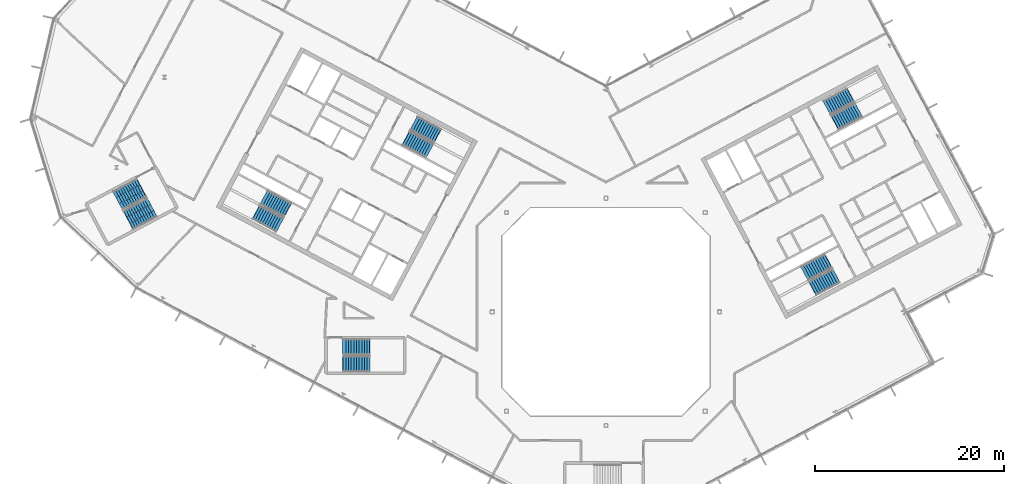
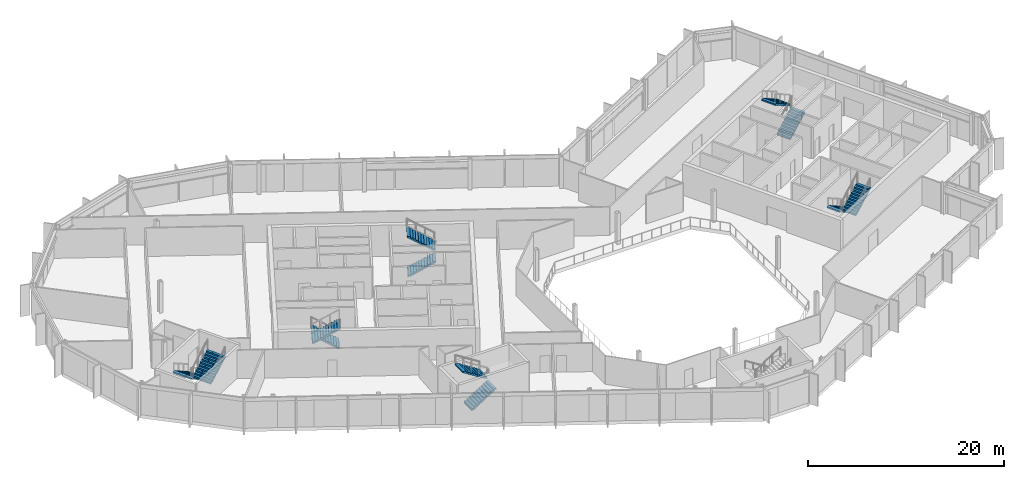
# One storey, part 18 of 26: 12 stair flights, 6 elements without a shape of their own.
"""IFC4 building model written with IfcOpenShell, lengths in metres."""

from ifc_helpers import new_model, si_unit, direction, frame, origin, place, context, subcontext, project, spatial, polyline, outline, extrude, material, type_object, element, aggregate, save


model = new_model("IFC4")

# Units and contexts
model_context = context("Model", 3, precision=1e-05, world=origin(), true_north=direction((0.0, 1.0)))
body_context = subcontext(model_context, "Body", "Model", "MODEL_VIEW")
ifc_project = project(units=[si_unit("LENGTHUNIT", "METRE"), si_unit("AREAUNIT", "SQUARE_METRE"), si_unit("VOLUMEUNIT", "CUBIC_METRE"), si_unit("PLANEANGLEUNIT", "RADIAN"), si_unit("MASSUNIT", "GRAM", prefix="KILO")], contexts=[model_context])

# Site, building, storey
site_placement = place(None, origin())
site = spatial("IfcSite", under=ifc_project, at=site_placement, CompositionType="ELEMENT")
building_placement = place(site_placement, origin())
building = spatial("IfcBuilding", under=site, at=building_placement, Name="Cormorant Relay Tower", CompositionType="ELEMENT")
storey_placement = place(building_placement, frame((0.0, 0.0, 320.39990234375)))
storey = spatial("IfcBuildingStorey", under=building, at=storey_placement, Name="L73", CompositionType="ELEMENT", Elevation=320.39990234375)

# Stair, stair flights
ifc_material_1 = material(Name="Concrete 40 MPa", Category="concrete")
stair_type_1 = type_object("IfcStairType", Name="Exit stair 1500", PredefinedType="HALF_TURN_STAIR", material=ifc_material_1)
stair_1_placement = place(storey_placement, origin())
stair_1 = element("IfcStair", 1, at=stair_1_placement, inside=storey, type_object=stair_type_1, Name="L73 Stair", PredefinedType="HALF_TURN_STAIR")
ifc_material_2 = material(Name="Concrete 40 MPa", Category="concrete")
stair_flight_type_1 = type_object("IfcStairFlightType", Name="Exit stair flight 1650", PredefinedType="STRAIGHT", material=ifc_material_2)
stair_flight_1_placement = place(storey_placement, frame((-21.114501953125, 18.33349609375, 0.0), z_axis=(0.0, 0.0, 1.0), x_axis=(0.882947592859, -0.469471562786, 0.0)))
stair_flight_1 = element("IfcStairFlight", 2, at=stair_flight_1_placement, type_object=stair_flight_type_1, Name="A1 flight 1", NumberOfRisers=11, NumberOfTreads=10, PredefinedType="STRAIGHT", RiserHeight=0.177272727, TreadLength=0.28, context=body_context, shape_type="SweptSolid", body=[
    extrude(outline(polyline([(-0.050048828125, -0.080078125), (-0.050048828125, 0.0), (0.0, 0.0), (0.0, 0.17724609375), (0.280029296875, 0.17724609375), (0.280029296875, 0.3544921875), (0.56005859375, 0.3544921875), (0.56005859375, 0.53173828125), (0.840087890625, 0.53173828125), (0.840087890625, 0.708984375), (1.1201171875, 0.708984375), (1.1201171875, 0.886474609375), (1.39990234375, 0.886474609375), (1.39990234375, 1.063720703125), (1.679931640625, 1.063720703125), (1.679931640625, 1.240966796875), (1.9599609375, 1.240966796875), (1.9599609375, 1.418212890625), (2.239990234375, 1.418212890625), (2.239990234375, 1.595458984375), (2.52001953125, 1.595458984375), (2.52001953125, 1.772705078125), (2.800048828125, 1.772705078125), (2.85009765625, 1.772705078125), (2.85009765625, 1.59521484375), (2.800048828125, 1.59521484375), (0.2802734375, 0.0), (-0.050048828125, -0.080078125)])), frame((0.0, 0.824951171875, 0.0), z_axis=(0.0, -1.0, 0.0), x_axis=(1.0, 0.0, 0.0)), (0.0, 0.0, 1.0), 1.64990234375),
])
stair_flight_2_placement = place(storey_placement, frame((-17.797119140625, 18.6083984375, 1.9501953125), z_axis=(0.0, 0.0, 1.0), x_axis=(-0.882947592859, 0.469471562786, 0.0)))
stair_flight_2 = element("IfcStairFlight", 3, at=stair_flight_2_placement, type_object=stair_flight_type_1, Name="A1 flight 2", NumberOfRisers=11, NumberOfTreads=10, PredefinedType="STRAIGHT", RiserHeight=0.177272727, TreadLength=0.28, context=body_context, shape_type="SweptSolid", body=[
    extrude(outline(polyline([(-0.050048828125, -0.080078125), (-0.050048828125, 0.0), (0.0, 0.0), (0.0, 0.17724609375), (0.280029296875, 0.17724609375), (0.280029296875, 0.3544921875), (0.56005859375, 0.3544921875), (0.56005859375, 0.53173828125), (0.840087890625, 0.53173828125), (0.840087890625, 0.708984375), (1.1201171875, 0.708984375), (1.1201171875, 0.886474609375), (1.39990234375, 0.886474609375), (1.39990234375, 1.063720703125), (1.679931640625, 1.063720703125), (1.679931640625, 1.240966796875), (1.9599609375, 1.240966796875), (1.9599609375, 1.418212890625), (2.239990234375, 1.418212890625), (2.239990234375, 1.595458984375), (2.52001953125, 1.595458984375), (2.52001953125, 1.772705078125), (2.800048828125, 1.772705078125), (2.85009765625, 1.772705078125), (2.85009765625, 1.59521484375), (2.800048828125, 1.59521484375), (0.2802734375, 0.0), (-0.050048828125, -0.080078125)])), frame((0.0, 0.824951171875, 0.0), z_axis=(0.0, -1.0, 0.0), x_axis=(1.0, 0.0, 0.0)), (0.0, 0.0, 1.0), 1.64990234375),
])
aggregate(stair_1, [stair_flight_1, stair_flight_2])

stair_2_placement = place(storey_placement, origin())
stair_2 = element("IfcStair", 4, at=stair_2_placement, inside=storey, type_object=stair_type_1, Name="L73 Stair", PredefinedType="HALF_TURN_STAIR")
stair_flight_3_placement = place(storey_placement, frame((-33.62841796875, 10.773681640625, 0.0), z_axis=(0.0, 0.0, 1.0), x_axis=(-0.882947592859, 0.469471562786, 0.0)))
stair_flight_3 = element("IfcStairFlight", 5, at=stair_flight_3_placement, type_object=stair_flight_type_1, Name="A2 flight 1", NumberOfRisers=11, NumberOfTreads=10, PredefinedType="STRAIGHT", RiserHeight=0.177272727, TreadLength=0.28, context=body_context, shape_type="SweptSolid", body=[
    extrude(outline(polyline([(-0.050048828125, -0.080078125), (-0.050048828125, 0.0), (0.0, 0.0), (0.0, 0.17724609375), (0.280029296875, 0.17724609375), (0.280029296875, 0.3544921875), (0.56005859375, 0.3544921875), (0.56005859375, 0.53173828125), (0.840087890625, 0.53173828125), (0.840087890625, 0.708984375), (1.1201171875, 0.708984375), (1.1201171875, 0.886474609375), (1.39990234375, 0.886474609375), (1.39990234375, 1.063720703125), (1.679931640625, 1.063720703125), (1.679931640625, 1.240966796875), (1.9599609375, 1.240966796875), (1.9599609375, 1.418212890625), (2.239990234375, 1.418212890625), (2.239990234375, 1.595458984375), (2.52001953125, 1.595458984375), (2.52001953125, 1.772705078125), (2.800048828125, 1.772705078125), (2.85009765625, 1.772705078125), (2.85009765625, 1.59521484375), (2.800048828125, 1.59521484375), (0.2802734375, 0.0), (-0.050048828125, -0.080078125)])), frame((0.0, 0.824951171875, 0.0), z_axis=(0.0, -1.0, 0.0), x_axis=(1.0, 0.0, 0.0)), (0.0, 0.0, 1.0), 1.64990234375),
])
stair_flight_4_placement = place(storey_placement, frame((-36.945556640625, 10.498779296875, 1.9501953125), z_axis=(0.0, 0.0, 1.0), x_axis=(0.882947592859, -0.469471562786, 0.0)))
stair_flight_4 = element("IfcStairFlight", 6, at=stair_flight_4_placement, type_object=stair_flight_type_1, Name="A2 flight 2", NumberOfRisers=11, NumberOfTreads=10, PredefinedType="STRAIGHT", RiserHeight=0.177272727, TreadLength=0.28, context=body_context, shape_type="SweptSolid", body=[
    extrude(outline(polyline([(-0.050048828125, -0.080078125), (-0.050048828125, 0.0), (0.0, 0.0), (0.0, 0.17724609375), (0.280029296875, 0.17724609375), (0.280029296875, 0.3544921875), (0.56005859375, 0.3544921875), (0.56005859375, 0.53173828125), (0.840087890625, 0.53173828125), (0.840087890625, 0.708984375), (1.1201171875, 0.708984375), (1.1201171875, 0.886474609375), (1.39990234375, 0.886474609375), (1.39990234375, 1.063720703125), (1.679931640625, 1.063720703125), (1.679931640625, 1.240966796875), (1.9599609375, 1.240966796875), (1.9599609375, 1.418212890625), (2.239990234375, 1.418212890625), (2.239990234375, 1.595458984375), (2.52001953125, 1.595458984375), (2.52001953125, 1.772705078125), (2.800048828125, 1.772705078125), (2.85009765625, 1.772705078125), (2.85009765625, 1.59521484375), (2.800048828125, 1.59521484375), (0.2802734375, 0.0), (-0.050048828125, -0.080078125)])), frame((0.0, 0.824951171875, 0.0), z_axis=(0.0, -1.0, 0.0), x_axis=(1.0, 0.0, 0.0)), (0.0, 0.0, 1.0), 1.64990234375),
])
aggregate(stair_2, [stair_flight_3, stair_flight_4])

stair_3_placement = place(storey_placement, origin())
stair_3 = element("IfcStair", 7, at=stair_3_placement, inside=storey, type_object=stair_type_1, Name="L73 Stair", PredefinedType="HALF_TURN_STAIR")
stair_flight_5_placement = place(storey_placement, frame((23.474365234375, 5.374755859375, 0.0), z_axis=(0.0, 0.0, 1.0), x_axis=(-0.882947592859, -0.469471562786, 0.0)))
stair_flight_5 = element("IfcStairFlight", 8, at=stair_flight_5_placement, type_object=stair_flight_type_1, Name="B1 flight 1", NumberOfRisers=11, NumberOfTreads=10, PredefinedType="STRAIGHT", RiserHeight=0.177272727, TreadLength=0.28, context=body_context, shape_type="SweptSolid", body=[
    extrude(outline(polyline([(-0.050048828125, -0.080078125), (-0.050048828125, 0.0), (0.0, 0.0), (0.0, 0.17724609375), (0.280029296875, 0.17724609375), (0.280029296875, 0.3544921875), (0.56005859375, 0.3544921875), (0.56005859375, 0.53173828125), (0.840087890625, 0.53173828125), (0.840087890625, 0.708984375), (1.1201171875, 0.708984375), (1.1201171875, 0.886474609375), (1.39990234375, 0.886474609375), (1.39990234375, 1.063720703125), (1.679931640625, 1.063720703125), (1.679931640625, 1.240966796875), (1.9599609375, 1.240966796875), (1.9599609375, 1.418212890625), (2.239990234375, 1.418212890625), (2.239990234375, 1.595458984375), (2.52001953125, 1.595458984375), (2.52001953125, 1.772705078125), (2.800048828125, 1.772705078125), (2.85009765625, 1.772705078125), (2.85009765625, 1.59521484375), (2.800048828125, 1.59521484375), (0.2802734375, 0.0), (-0.050048828125, -0.080078125)])), frame((0.0, 0.824951171875, 0.0), z_axis=(0.0, -1.0, 0.0), x_axis=(1.0, 0.0, 0.0)), (0.0, 0.0, 1.0), 1.64990234375),
])
stair_flight_6_placement = place(storey_placement, frame((21.84716796875, 2.470947265625, 1.9501953125), z_axis=(0.0, 0.0, 1.0), x_axis=(0.882947592859, 0.469471562786, 0.0)))
stair_flight_6 = element("IfcStairFlight", 9, at=stair_flight_6_placement, type_object=stair_flight_type_1, Name="B1 flight 2", NumberOfRisers=11, NumberOfTreads=10, PredefinedType="STRAIGHT", RiserHeight=0.177272727, TreadLength=0.28, context=body_context, shape_type="SweptSolid", body=[
    extrude(outline(polyline([(-0.050048828125, -0.080078125), (-0.050048828125, 0.0), (0.0, 0.0), (0.0, 0.17724609375), (0.280029296875, 0.17724609375), (0.280029296875, 0.3544921875), (0.56005859375, 0.3544921875), (0.56005859375, 0.53173828125), (0.840087890625, 0.53173828125), (0.840087890625, 0.708984375), (1.1201171875, 0.708984375), (1.1201171875, 0.886474609375), (1.39990234375, 0.886474609375), (1.39990234375, 1.063720703125), (1.679931640625, 1.063720703125), (1.679931640625, 1.240966796875), (1.9599609375, 1.240966796875), (1.9599609375, 1.418212890625), (2.239990234375, 1.418212890625), (2.239990234375, 1.595458984375), (2.52001953125, 1.595458984375), (2.52001953125, 1.772705078125), (2.800048828125, 1.772705078125), (2.85009765625, 1.772705078125), (2.85009765625, 1.59521484375), (2.800048828125, 1.59521484375), (0.2802734375, 0.0), (-0.050048828125, -0.080078125)])), frame((0.0, 0.824951171875, 0.0), z_axis=(0.0, -1.0, 0.0), x_axis=(1.0, 0.0, 0.0)), (0.0, 0.0, 1.0), 1.64990234375),
])
aggregate(stair_3, [stair_flight_5, stair_flight_6])

stair_4_placement = place(storey_placement, origin())
stair_4 = element("IfcStair", 10, at=stair_4_placement, inside=storey, type_object=stair_type_1, Name="L73 Stair", PredefinedType="HALF_TURN_STAIR")
stair_flight_7_placement = place(storey_placement, frame((24.20458984375, 19.976806640625, 0.0), z_axis=(0.0, 0.0, 1.0), x_axis=(0.882947592859, 0.469471562786, 0.0)))
stair_flight_7 = element("IfcStairFlight", 11, at=stair_flight_7_placement, type_object=stair_flight_type_1, Name="B2 flight 1", NumberOfRisers=11, NumberOfTreads=10, PredefinedType="STRAIGHT", RiserHeight=0.177272727, TreadLength=0.28, context=body_context, shape_type="SweptSolid", body=[
    extrude(outline(polyline([(-0.050048828125, -0.080078125), (-0.050048828125, 0.0), (0.0, 0.0), (0.0, 0.17724609375), (0.280029296875, 0.17724609375), (0.280029296875, 0.3544921875), (0.56005859375, 0.3544921875), (0.56005859375, 0.53173828125), (0.840087890625, 0.53173828125), (0.840087890625, 0.708984375), (1.1201171875, 0.708984375), (1.1201171875, 0.886474609375), (1.39990234375, 0.886474609375), (1.39990234375, 1.063720703125), (1.679931640625, 1.063720703125), (1.679931640625, 1.240966796875), (1.9599609375, 1.240966796875), (1.9599609375, 1.418212890625), (2.239990234375, 1.418212890625), (2.239990234375, 1.595458984375), (2.52001953125, 1.595458984375), (2.52001953125, 1.772705078125), (2.800048828125, 1.772705078125), (2.85009765625, 1.772705078125), (2.85009765625, 1.59521484375), (2.800048828125, 1.59521484375), (0.2802734375, 0.0), (-0.050048828125, -0.080078125)])), frame((0.0, 0.824951171875, 0.0), z_axis=(0.0, -1.0, 0.0), x_axis=(1.0, 0.0, 0.0)), (0.0, 0.0, 1.0), 1.64990234375),
])
stair_flight_8_placement = place(storey_placement, frame((25.831787109375, 22.880615234375, 1.9501953125), z_axis=(0.0, 0.0, 1.0), x_axis=(-0.882947592859, -0.469471562786, 0.0)))
stair_flight_8 = element("IfcStairFlight", 12, at=stair_flight_8_placement, type_object=stair_flight_type_1, Name="B2 flight 2", NumberOfRisers=11, NumberOfTreads=10, PredefinedType="STRAIGHT", RiserHeight=0.177272727, TreadLength=0.28, context=body_context, shape_type="SweptSolid", body=[
    extrude(outline(polyline([(-0.050048828125, -0.080078125), (-0.050048828125, 0.0), (0.0, 0.0), (0.0, 0.17724609375), (0.280029296875, 0.17724609375), (0.280029296875, 0.3544921875), (0.56005859375, 0.3544921875), (0.56005859375, 0.53173828125), (0.840087890625, 0.53173828125), (0.840087890625, 0.708984375), (1.1201171875, 0.708984375), (1.1201171875, 0.886474609375), (1.39990234375, 0.886474609375), (1.39990234375, 1.063720703125), (1.679931640625, 1.063720703125), (1.679931640625, 1.240966796875), (1.9599609375, 1.240966796875), (1.9599609375, 1.418212890625), (2.239990234375, 1.418212890625), (2.239990234375, 1.595458984375), (2.52001953125, 1.595458984375), (2.52001953125, 1.772705078125), (2.800048828125, 1.772705078125), (2.85009765625, 1.772705078125), (2.85009765625, 1.59521484375), (2.800048828125, 1.59521484375), (0.2802734375, 0.0), (-0.050048828125, -0.080078125)])), frame((0.0, 0.824951171875, 0.0), z_axis=(0.0, -1.0, 0.0), x_axis=(1.0, 0.0, 0.0)), (0.0, 0.0, 1.0), 1.64990234375),
])
aggregate(stair_4, [stair_flight_7, stair_flight_8])

stair_5_placement = place(storey_placement, origin())
stair_5 = element("IfcStair", 13, at=stair_5_placement, inside=storey, type_object=stair_type_1, Name="L73 Stair", PredefinedType="HALF_TURN_STAIR")
stair_flight_9_placement = place(storey_placement, frame((-27.75, -5.5, 0.0), z_axis=(0.0, 0.0, 1.0), x_axis=(1.0, 0.0, 0.0)))
stair_flight_9 = element("IfcStairFlight", 14, at=stair_flight_9_placement, type_object=stair_flight_type_1, Name="RC1 flight 1", NumberOfRisers=11, NumberOfTreads=10, PredefinedType="STRAIGHT", RiserHeight=0.177272727, TreadLength=0.28, context=body_context, shape_type="SweptSolid", body=[
    extrude(outline(polyline([(-0.050048828125, -0.080078125), (-0.050048828125, 0.0), (0.0, 0.0), (0.0, 0.17724609375), (0.280029296875, 0.17724609375), (0.280029296875, 0.3544921875), (0.56005859375, 0.3544921875), (0.56005859375, 0.53173828125), (0.840087890625, 0.53173828125), (0.840087890625, 0.708984375), (1.1201171875, 0.708984375), (1.1201171875, 0.886474609375), (1.39990234375, 0.886474609375), (1.39990234375, 1.063720703125), (1.679931640625, 1.063720703125), (1.679931640625, 1.240966796875), (1.9599609375, 1.240966796875), (1.9599609375, 1.418212890625), (2.239990234375, 1.418212890625), (2.239990234375, 1.595458984375), (2.52001953125, 1.595458984375), (2.52001953125, 1.772705078125), (2.800048828125, 1.772705078125), (2.85009765625, 1.772705078125), (2.85009765625, 1.59521484375), (2.800048828125, 1.59521484375), (0.2802734375, 0.0), (-0.050048828125, -0.080078125)])), frame((0.0, 0.824951171875, 0.0), z_axis=(0.0, -1.0, 0.0), x_axis=(1.0, 0.0, 0.0)), (0.0, 0.0, 1.0), 1.64990234375),
])
stair_flight_10_placement = place(storey_placement, frame((-24.949951171875, -3.699951171875, 1.9501953125), z_axis=(0.0, 0.0, 1.0), x_axis=(-1.0, 0.0, 0.0)))
stair_flight_10 = element("IfcStairFlight", 15, at=stair_flight_10_placement, type_object=stair_flight_type_1, Name="RC1 flight 2", NumberOfRisers=11, NumberOfTreads=10, PredefinedType="STRAIGHT", RiserHeight=0.177272727, TreadLength=0.28, context=body_context, shape_type="SweptSolid", body=[
    extrude(outline(polyline([(-0.050048828125, -0.080078125), (-0.050048828125, 0.0), (0.0, 0.0), (0.0, 0.17724609375), (0.280029296875, 0.17724609375), (0.280029296875, 0.3544921875), (0.56005859375, 0.3544921875), (0.56005859375, 0.53173828125), (0.840087890625, 0.53173828125), (0.840087890625, 0.708984375), (1.1201171875, 0.708984375), (1.1201171875, 0.886474609375), (1.39990234375, 0.886474609375), (1.39990234375, 1.063720703125), (1.679931640625, 1.063720703125), (1.679931640625, 1.240966796875), (1.9599609375, 1.240966796875), (1.9599609375, 1.418212890625), (2.239990234375, 1.418212890625), (2.239990234375, 1.595458984375), (2.52001953125, 1.595458984375), (2.52001953125, 1.772705078125), (2.800048828125, 1.772705078125), (2.85009765625, 1.772705078125), (2.85009765625, 1.59521484375), (2.800048828125, 1.59521484375), (0.2802734375, 0.0), (-0.050048828125, -0.080078125)])), frame((0.0, 0.824951171875, 0.0), z_axis=(0.0, -1.0, 0.0), x_axis=(1.0, 0.0, 0.0)), (0.0, 0.0, 1.0), 1.64990234375),
])
aggregate(stair_5, [stair_flight_9, stair_flight_10])

ifc_material_3 = material(Name="Concrete 40 MPa", Category="concrete")
stair_type_2 = type_object("IfcStairType", Name="Remote exit stair 2200", PredefinedType="HALF_TURN_STAIR", material=ifc_material_3)
stair_6_placement = place(storey_placement, origin())
stair_6 = element("IfcStair", 16, at=stair_6_placement, inside=storey, type_object=stair_type_2, Name="L73 Stair", PredefinedType="HALF_TURN_STAIR")
ifc_material_4 = material(Name="Concrete 40 MPa", Category="concrete")
stair_flight_type_2 = type_object("IfcStairFlightType", Name="Remote exit stair flight 2200", PredefinedType="STRAIGHT", material=ifc_material_4)
stair_flight_11_placement = place(storey_placement, frame((-49.062255859375, 13.08251953125, 0.0), z_axis=(0.0, 0.0, 1.0), x_axis=(-0.882947502727, -0.4694717323, 0.0)))
stair_flight_11 = element("IfcStairFlight", 17, at=stair_flight_11_placement, type_object=stair_flight_type_2, Name="RP1 flight 1", NumberOfRisers=11, NumberOfTreads=10, PredefinedType="STRAIGHT", RiserHeight=0.177272727, TreadLength=0.28, context=body_context, shape_type="SweptSolid", body=[
    extrude(outline(polyline([(-0.050048828125, -0.080078125), (-0.050048828125, 0.0), (0.0, 0.0), (0.0, 0.17724609375), (0.280029296875, 0.17724609375), (0.280029296875, 0.3544921875), (0.56005859375, 0.3544921875), (0.56005859375, 0.53173828125), (0.840087890625, 0.53173828125), (0.840087890625, 0.708984375), (1.1201171875, 0.708984375), (1.1201171875, 0.886474609375), (1.39990234375, 0.886474609375), (1.39990234375, 1.063720703125), (1.679931640625, 1.063720703125), (1.679931640625, 1.240966796875), (1.9599609375, 1.240966796875), (1.9599609375, 1.418212890625), (2.239990234375, 1.418212890625), (2.239990234375, 1.595458984375), (2.52001953125, 1.595458984375), (2.52001953125, 1.772705078125), (2.800048828125, 1.772705078125), (2.85009765625, 1.772705078125), (2.85009765625, 1.59521484375), (2.800048828125, 1.59521484375), (0.2802734375, 0.0), (-0.050048828125, -0.080078125)])), frame((0.0, 1.10009765625, 0.0), z_axis=(0.0, -1.0, 0.0), x_axis=(1.0, 0.0, 0.0)), (0.0, 0.0, 1.0), 0.719970703125),
    extrude(outline(polyline([(-0.050048828125, -0.080078125), (-0.050048828125, 0.0), (0.0, 0.0), (0.0, 0.17724609375), (0.280029296875, 0.17724609375), (0.280029296875, 0.3544921875), (0.56005859375, 0.3544921875), (0.56005859375, 0.53173828125), (0.840087890625, 0.53173828125), (0.840087890625, 0.708984375), (1.1201171875, 0.708984375), (1.1201171875, 0.886474609375), (1.39990234375, 0.886474609375), (1.39990234375, 1.063720703125), (1.679931640625, 1.063720703125), (1.679931640625, 1.240966796875), (1.9599609375, 1.240966796875), (1.9599609375, 1.418212890625), (2.239990234375, 1.418212890625), (2.239990234375, 1.595458984375), (2.52001953125, 1.595458984375), (2.52001953125, 1.772705078125), (2.800048828125, 1.772705078125), (2.85009765625, 1.772705078125), (2.85009765625, 1.59521484375), (2.800048828125, 1.59521484375), (0.2802734375, 0.0), (-0.050048828125, -0.080078125)])), frame((0.0, 0.360107421875, 0.0), z_axis=(0.0, -1.0, 0.0), x_axis=(1.0, 0.0, 0.0)), (0.0, 0.0, 1.0), 0.719970703125),
    extrude(outline(polyline([(-0.050048828125, -0.080078125), (-0.050048828125, 0.0), (0.0, 0.0), (0.0, 0.17724609375), (0.280029296875, 0.17724609375), (0.280029296875, 0.3544921875), (0.56005859375, 0.3544921875), (0.56005859375, 0.53173828125), (0.840087890625, 0.53173828125), (0.840087890625, 0.708984375), (1.1201171875, 0.708984375), (1.1201171875, 0.886474609375), (1.39990234375, 0.886474609375), (1.39990234375, 1.063720703125), (1.679931640625, 1.063720703125), (1.679931640625, 1.240966796875), (1.9599609375, 1.240966796875), (1.9599609375, 1.418212890625), (2.239990234375, 1.418212890625), (2.239990234375, 1.595458984375), (2.52001953125, 1.595458984375), (2.52001953125, 1.772705078125), (2.800048828125, 1.772705078125), (2.85009765625, 1.772705078125), (2.85009765625, 1.59521484375), (2.800048828125, 1.59521484375), (0.2802734375, 0.0), (-0.050048828125, -0.080078125)])), frame((0.0, -0.3798828125, 0.0), z_axis=(0.0, -1.0, 0.0), x_axis=(1.0, 0.0, 0.0)), (0.0, 0.0, 1.0), 0.719970703125),
])
stair_flight_12_placement = place(storey_placement, frame((-50.431396484375, 9.693115234375, 1.9501953125), z_axis=(0.0, 0.0, 1.0), x_axis=(0.882947502727, 0.4694717323, 0.0)))
stair_flight_12 = element("IfcStairFlight", 18, at=stair_flight_12_placement, type_object=stair_flight_type_2, Name="RP1 flight 2", NumberOfRisers=11, NumberOfTreads=10, PredefinedType="STRAIGHT", RiserHeight=0.177272727, TreadLength=0.28, context=body_context, shape_type="SweptSolid", body=[
    extrude(outline(polyline([(-0.050048828125, -0.080078125), (-0.050048828125, 0.0), (0.0, 0.0), (0.0, 0.17724609375), (0.280029296875, 0.17724609375), (0.280029296875, 0.3544921875), (0.56005859375, 0.3544921875), (0.56005859375, 0.53173828125), (0.840087890625, 0.53173828125), (0.840087890625, 0.708984375), (1.1201171875, 0.708984375), (1.1201171875, 0.886474609375), (1.39990234375, 0.886474609375), (1.39990234375, 1.063720703125), (1.679931640625, 1.063720703125), (1.679931640625, 1.240966796875), (1.9599609375, 1.240966796875), (1.9599609375, 1.418212890625), (2.239990234375, 1.418212890625), (2.239990234375, 1.595458984375), (2.52001953125, 1.595458984375), (2.52001953125, 1.772705078125), (2.800048828125, 1.772705078125), (2.85009765625, 1.772705078125), (2.85009765625, 1.59521484375), (2.800048828125, 1.59521484375), (0.2802734375, 0.0), (-0.050048828125, -0.080078125)])), frame((0.0, 1.10009765625, 0.0), z_axis=(0.0, -1.0, 0.0), x_axis=(1.0, 0.0, 0.0)), (0.0, 0.0, 1.0), 0.719970703125),
    extrude(outline(polyline([(-0.050048828125, -0.080078125), (-0.050048828125, 0.0), (0.0, 0.0), (0.0, 0.17724609375), (0.280029296875, 0.17724609375), (0.280029296875, 0.3544921875), (0.56005859375, 0.3544921875), (0.56005859375, 0.53173828125), (0.840087890625, 0.53173828125), (0.840087890625, 0.708984375), (1.1201171875, 0.708984375), (1.1201171875, 0.886474609375), (1.39990234375, 0.886474609375), (1.39990234375, 1.063720703125), (1.679931640625, 1.063720703125), (1.679931640625, 1.240966796875), (1.9599609375, 1.240966796875), (1.9599609375, 1.418212890625), (2.239990234375, 1.418212890625), (2.239990234375, 1.595458984375), (2.52001953125, 1.595458984375), (2.52001953125, 1.772705078125), (2.800048828125, 1.772705078125), (2.85009765625, 1.772705078125), (2.85009765625, 1.59521484375), (2.800048828125, 1.59521484375), (0.2802734375, 0.0), (-0.050048828125, -0.080078125)])), frame((0.0, 0.360107421875, 0.0), z_axis=(0.0, -1.0, 0.0), x_axis=(1.0, 0.0, 0.0)), (0.0, 0.0, 1.0), 0.719970703125),
    extrude(outline(polyline([(-0.050048828125, -0.080078125), (-0.050048828125, 0.0), (0.0, 0.0), (0.0, 0.17724609375), (0.280029296875, 0.17724609375), (0.280029296875, 0.3544921875), (0.56005859375, 0.3544921875), (0.56005859375, 0.53173828125), (0.840087890625, 0.53173828125), (0.840087890625, 0.708984375), (1.1201171875, 0.708984375), (1.1201171875, 0.886474609375), (1.39990234375, 0.886474609375), (1.39990234375, 1.063720703125), (1.679931640625, 1.063720703125), (1.679931640625, 1.240966796875), (1.9599609375, 1.240966796875), (1.9599609375, 1.418212890625), (2.239990234375, 1.418212890625), (2.239990234375, 1.595458984375), (2.52001953125, 1.595458984375), (2.52001953125, 1.772705078125), (2.800048828125, 1.772705078125), (2.85009765625, 1.772705078125), (2.85009765625, 1.59521484375), (2.800048828125, 1.59521484375), (0.2802734375, 0.0), (-0.050048828125, -0.080078125)])), frame((0.0, -0.3798828125, 0.0), z_axis=(0.0, -1.0, 0.0), x_axis=(1.0, 0.0, 0.0)), (0.0, 0.0, 1.0), 0.719970703125),
])
aggregate(stair_6, [stair_flight_11, stair_flight_12])

save(model, "model.ifc")
